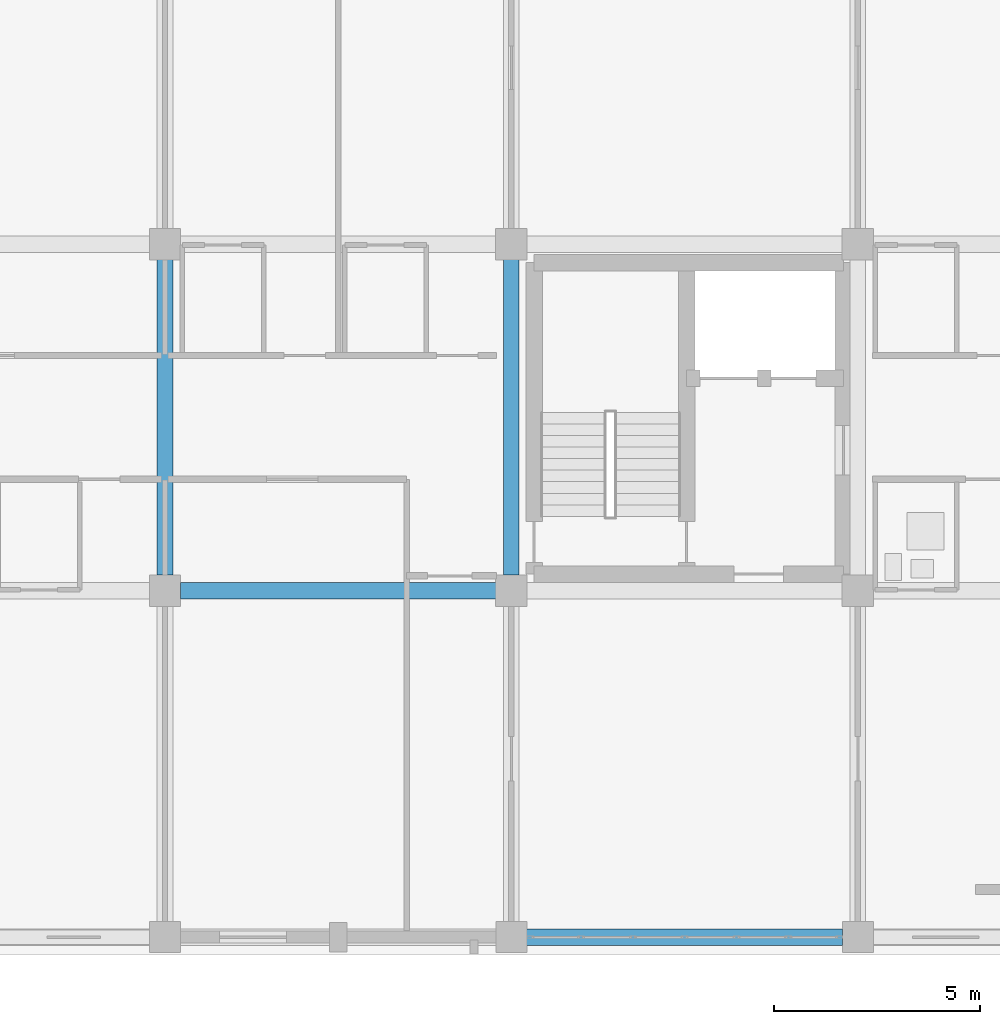
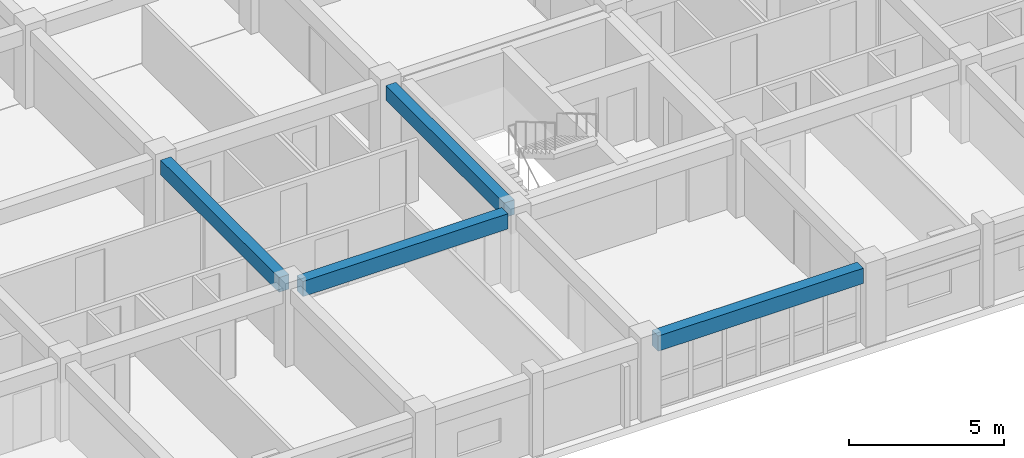
# One storey, part 29 of 200: 4 beams.
"""IFC4 building model written with IfcOpenShell, lengths in metres."""

from ifc_helpers import new_model, si_unit, direction, frame, origin, origin_2d, place, context, subcontext, project, spatial, rectangle, extrude, material, material_profile, profile_set, type_object, element, save


model = new_model("IFC4")

# Units and contexts
model_context = context("Model", 3, precision=1e-05, world=origin(), true_north=direction((0.0, 1.0)))
body_context = subcontext(model_context, "Body", "Model", "MODEL_VIEW")
ifc_project = project(units=[si_unit("LENGTHUNIT", "METRE"), si_unit("AREAUNIT", "SQUARE_METRE"), si_unit("VOLUMEUNIT", "CUBIC_METRE"), si_unit("PLANEANGLEUNIT", "RADIAN"), si_unit("MASSUNIT", "GRAM", prefix="KILO")], contexts=[model_context])

# Site, building, storey
site_placement = place(None, origin())
site = spatial("IfcSite", under=ifc_project, at=site_placement, CompositionType="ELEMENT")
building_placement = place(site_placement, origin())
building = spatial("IfcBuilding", under=site, at=building_placement, Name="Trelvath General Hospital", CompositionType="ELEMENT")
storey_placement = place(building_placement, frame((0.0, 0.0, 4.800048828125)))
storey = spatial("IfcBuildingStorey", under=building, at=storey_placement, Name="L01", CompositionType="ELEMENT", Elevation=4.800048828125)

# Beams
ifc_material_1 = material(Name="Concrete C35/45", Category="concrete")
ifc_material_profile_1 = material_profile(ifc_material_1, rectangle(XDim=0.3798828125, YDim=0.580078125, at=origin_2d()), Name="RCB380x580")
ifc_profile_set_1 = profile_set([ifc_material_profile_1], Name="Concrete C35/45")
beam_type_1 = type_object("IfcBeamType", Name="Beam RC380x580", PredefinedType="BEAM", material=ifc_profile_set_1)
for number, where, z_axis, x_axis, name in (
    (1, (33.60009765625, 8.77490234375, 2.72998046875), (0.0, 1.0, 0.0), (-1.0, 0.0, 0.0), "Grid Beam BY-104B"),
    (2, (42.0, 8.77490234375, 2.72998046875), (0.0, 1.0, 0.0), (-1.0, 0.0, 0.0), "Grid Beam BY-105B"),
):
    element("IfcBeam", number, at=place(storey_placement, frame(where, z_axis=z_axis, x_axis=x_axis)), inside=storey, type_object=beam_type_1, Name=name, PredefinedType="BEAM", context=body_context, shape_type="SweptSolid", body=[
        extrude(rectangle(XDim=0.3798828125, YDim=0.580078125, at=origin_2d()), origin(), (0.0, 0.0, 1.0), 7.650146484375),
    ])
ifc_material_2 = material(Name="Concrete C35/45", Category="concrete")
ifc_material_profile_2 = material_profile(ifc_material_2, rectangle(XDim=0.39990234375, YDim=0.60009765625, at=origin_2d()), Name="RCB400x600")
ifc_profile_set_2 = profile_set([ifc_material_profile_2], Name="Concrete C35/45")
beam_type_2 = type_object("IfcBeamType", Name="Beam RC400x600", PredefinedType="BEAM", material=ifc_profile_set_2)
beam_1_placement = place(storey_placement, frame((33.97509765625, 8.39990234375, 2.719970703125), z_axis=(1.0, 0.0, 0.0), x_axis=(0.0, 1.0, 0.0)))
element("IfcBeam", 3, at=beam_1_placement, inside=storey, type_object=beam_type_2, Name="Grid Beam BX-104B", PredefinedType="BEAM", context=body_context, shape_type="SweptSolid", body=[
    extrude(rectangle(XDim=0.39990234375, YDim=0.60009765625, at=origin_2d()), origin(), (0.0, 0.0, 1.0), 7.64990234375),
])
beam_2_placement = place(storey_placement, frame((42.3701171875, 0.0, 2.719970703125), z_axis=(1.0, 0.0, 0.0), x_axis=(0.0, 1.0, 0.0)))
element("IfcBeam", 4, at=beam_2_placement, inside=storey, type_object=beam_type_2, Name="Grid Beam BX-105A", PredefinedType="BEAM", context=body_context, shape_type="SweptSolid", body=[
    extrude(rectangle(XDim=0.39990234375, YDim=0.60009765625, at=origin_2d()), origin(), (0.0, 0.0, 1.0), 7.659912109375),
])

save(model, "model.ifc")
